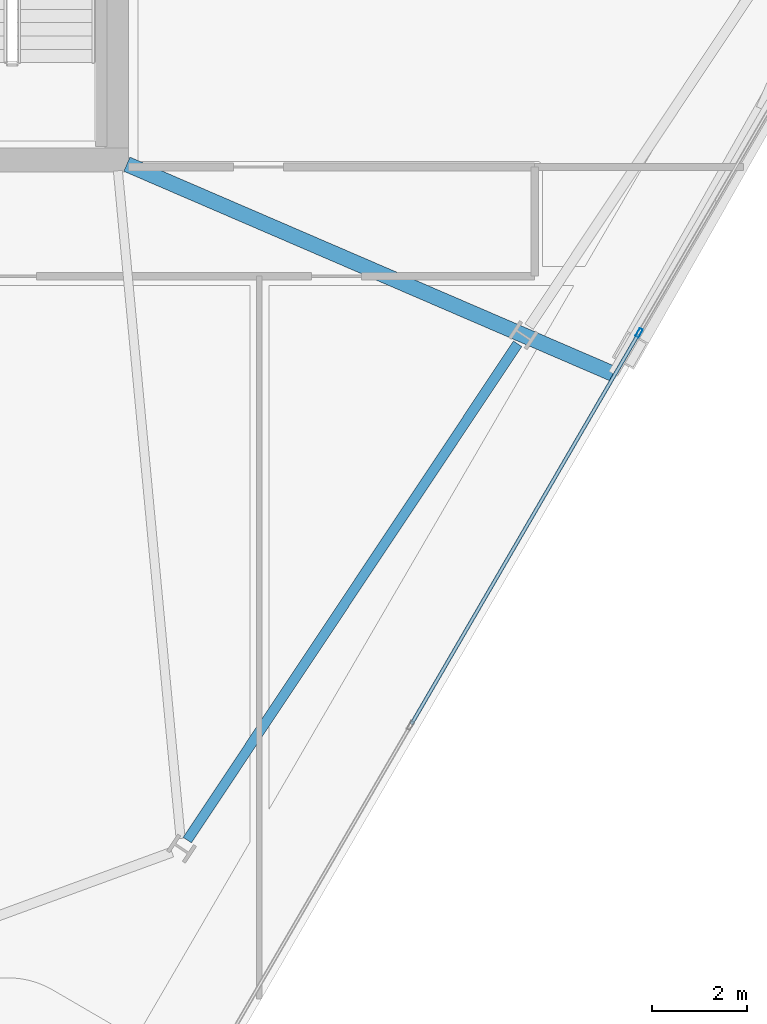
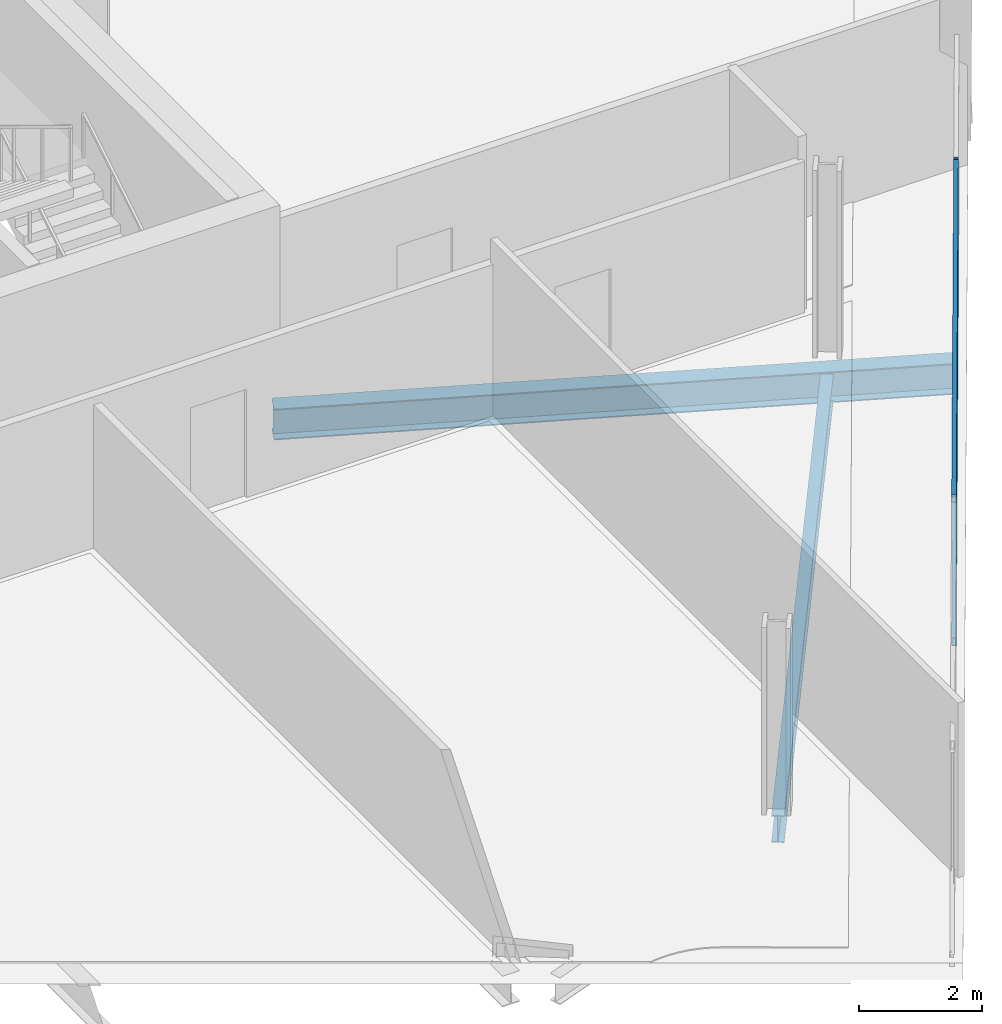
# One storey, part 9 of 29: 3 members, 2 beams, 1 element without a shape of its own.
"""IFC4 building model written with IfcOpenShell, lengths in metres."""

import ifcopenshell
import ifcopenshell.guid

model = None  # the IFC model being written
_history = None  # IfcOwnerHistory: only IFC2X3 demands one
_inside = {}  # id of a spatial element -> (the spatial element, [elements in it])
_under = {}  # id of a project, library or spatial element -> (it, [spatial elements below it])
_declared = {}  # id of a project -> (the project, [libraries it declares])
_typed = {}  # id of a type object -> (the type object, [elements of that type])
_made_of = {}  # id of a material, layer set ... -> (it, [elements and type objects made of it])


def new_model(schema):
    """Start an empty IFC model of exactly this schema.

    Asked for "IFC4X3", IfcOpenShell would pick the latest addendum, in which some entities
    have other attributes; the version numbers below select the first issue.
    IFC2X3 requires an IfcOwnerHistory on every rooted entity: one is made here for all.
    """
    global model, _history
    if schema == "IFC4X3":
        model = ifcopenshell.file(schema_version=(4, 3, 0, 0))
    else:
        model = ifcopenshell.file(schema=schema)
    _inside.clear()
    _under.clear()
    _declared.clear()
    _typed.clear()
    _made_of.clear()
    _history = None
    if model.schema == "IFC2X3":
        org = make("IfcOrganization", Name="unknown")
        user = make(
            "IfcPersonAndOrganization",
            ThePerson=make("IfcPerson", FamilyName="unknown"),
            TheOrganization=org,
        )
        app = make(
            "IfcApplication",
            ApplicationDeveloper=org,
            Version="unknown",
            ApplicationFullName="unknown",
            ApplicationIdentifier="unknown",
        )
        _history = make(
            "IfcOwnerHistory",
            OwningUser=user,
            OwningApplication=app,
            ChangeAction="ADDED",
            CreationDate=0,
        )
    return model


def make(cls, **values):
    """One entity of the class cls with the attributes given. An attribute that is None is left unset."""
    return model.create_entity(
        cls, **{name: value for name, value in values.items() if value is not None}
    )


def rooted(cls, **values):
    """An entity with a GlobalId (a new one), such as an element, a storey or a relation."""
    return make(cls, GlobalId=ifcopenshell.guid.new(), OwnerHistory=_history, **values)


def si_unit(unit_type, name, prefix=None):
    """IfcSIUnit, for example si_unit("LENGTHUNIT", "METRE", prefix="MILLI")."""
    return make("IfcSIUnit", UnitType=unit_type, Prefix=prefix, Name=name)


def assignment(units):
    """IfcUnitAssignment: the units of a project."""
    return None if units is None else make("IfcUnitAssignment", Units=units)


def point(xyz):
    """IfcCartesianPoint."""
    return None if xyz is None else make("IfcCartesianPoint", Coordinates=xyz)


def direction(xyz):
    """IfcDirection."""
    return None if xyz is None else make("IfcDirection", DirectionRatios=xyz)


def frame(location, z_axis=None, x_axis=None):
    """IfcAxis2Placement3D, a coordinate frame: its origin and axes. An axis left out is left unset."""
    return make(
        "IfcAxis2Placement3D",
        Location=point(location),
        Axis=direction(z_axis),
        RefDirection=direction(x_axis),
    )


def frame_2d(location, x_axis=None):
    """IfcAxis2Placement2D, a coordinate frame in the plane: its origin and x axis."""
    return make(
        "IfcAxis2Placement2D", Location=point(location), RefDirection=direction(x_axis)
    )


def origin():
    """The frame at (0, 0, 0) with its axes left unset."""
    return frame((0.0, 0.0, 0.0))


def origin_2d():
    """The frame at (0, 0) in the plane with its x axis left unset."""
    return frame_2d((0.0, 0.0))


def place(relative_to, where):
    """IfcLocalPlacement: puts the frame where relative to a parent placement (None: the world)."""
    return make(
        "IfcLocalPlacement", PlacementRelTo=relative_to, RelativePlacement=where
    )


def context(
    kind, dimensions, precision=None, world=None, true_north=None, identifier=None
):
    """IfcGeometricRepresentationContext, for example the 3D "Model" context."""
    return make(
        "IfcGeometricRepresentationContext",
        ContextIdentifier=identifier,
        ContextType=kind,
        CoordinateSpaceDimension=dimensions,
        Precision=precision,
        WorldCoordinateSystem=world,
        TrueNorth=true_north,
    )


def subcontext(parent, identifier, kind, view, scale=None):
    """IfcGeometricRepresentationSubContext, for example "Body" below "Model"."""
    return make(
        "IfcGeometricRepresentationSubContext",
        ContextIdentifier=identifier,
        ContextType=kind,
        ParentContext=parent,
        TargetScale=scale,
        TargetView=view,
    )


def project(units=None, contexts=None):
    """IfcProject with its units and contexts."""
    return rooted(
        "IfcProject",
        Name="project",
        RepresentationContexts=contexts,
        UnitsInContext=assignment(units),
    )


def spatial(cls, under=None, at=None, **own):
    """A site, building, storey or space (cls), placed at a placement, below another one or the project."""
    s = rooted(cls, ObjectPlacement=at, **own)
    if under is not None:
        _under.setdefault(under.id(), (under, []))[1].append(s)
    return s


def profile(cls, at=None, kind="AREA", **sizes):
    """A parametric profile (cls). Its sizes go by their IFC names, for example OverallWidth=200.0."""
    return make(cls, ProfileType=kind, Position=at, **sizes)


def hollow_rectangle(**sizes):
    """IfcRectangleHollowProfileDef."""
    return profile("IfcRectangleHollowProfileDef", **sizes)


def i_section(**sizes):
    """IfcIShapeProfileDef."""
    return profile("IfcIShapeProfileDef", **sizes)


def extrude(swept, where, along, depth):
    """IfcExtrudedAreaSolid: the profile swept, set in the frame where, extruded along a direction by depth."""
    return make(
        "IfcExtrudedAreaSolid",
        SweptArea=swept,
        Position=where,
        ExtrudedDirection=direction(along),
        Depth=depth,
    )


def shape(context_of_items, identifier, shape_type, items):
    """IfcShapeRepresentation: the items that make up one representation, for example the "Body"."""
    return make(
        "IfcShapeRepresentation",
        ContextOfItems=context_of_items,
        RepresentationIdentifier=identifier,
        RepresentationType=shape_type,
        Items=items,
    )


def material(Name=None, Category=None):
    """IfcMaterial."""
    return make("IfcMaterial", Name=Name, Category=Category)


def material_profile(
    of_material, cross_section, Name=None, Category=None, Priority=None
):
    """IfcMaterialProfile: a cross section and its material."""
    return make(
        "IfcMaterialProfile",
        Name=Name,
        Material=of_material,
        Profile=cross_section,
        Priority=Priority,
        Category=Category,
    )


def profile_set(profiles, Name=None, composite=None):
    """IfcMaterialProfileSet."""
    return make(
        "IfcMaterialProfileSet",
        Name=Name,
        MaterialProfiles=profiles,
        CompositeProfile=composite,
    )


def made_of(thing, what):
    """Note that an element or type object is made of a material, layer set ...; save() writes the relation."""
    if what is not None:
        _made_of.setdefault(what.id(), (what, []))[1].append(thing)
    return thing


def type_object(cls, material=None, **own):
    """A type object (cls), such as IfcWallType, which elements share."""
    return made_of(rooted(cls, **own), material)


def element(
    cls,
    number,
    at=None,
    inside=None,
    cuts=None,
    type_object=None,
    material=None,
    context=None,
    identifier="Body",
    shape_type=None,
    held_by="IfcProductDefinitionShape",
    body=None,
    shapes=None,
    **own,
):
    """One element of the class cls, such as IfcWall. Its Tag is "e" and its number.

    at: its placement. inside: the storey or other place that contains it. cuts: it is an
    opening in that element (IfcRelVoidsElement). A single representation is given by context,
    identifier, shape_type and body (its items); several are given by shapes. held_by: the class
    of the entity that holds the representations. save() writes the other relations.
    """
    e = rooted(cls, Tag="e%d" % number, ObjectPlacement=at, **own)
    if body is not None:
        shapes = [shape(context, identifier, shape_type, body)]
    if shapes is not None:
        e.Representation = make(held_by, Representations=shapes)
    if inside is not None:
        _inside.setdefault(inside.id(), (inside, []))[1].append(e)
    if cuts is not None:
        rooted(
            "IfcRelVoidsElement", RelatingBuildingElement=cuts, RelatedOpeningElement=e
        )
    if type_object is not None:
        _typed.setdefault(type_object.id(), (type_object, []))[1].append(e)
    return made_of(e, material)


def aggregate(whole, parts):
    """IfcRelAggregates: a whole, such as a stair, and the parts it consists of."""
    return rooted("IfcRelAggregates", RelatingObject=whole, RelatedObjects=parts)


def save(model, path):
    """Write the relations noted so far, then the file.

    IfcRelAggregates (storeys below a building ...), IfcRelContainedInSpatialStructure (elements
    in a storey), IfcRelDefinesByType, IfcRelAssociatesMaterial and IfcRelDeclares: one each for
    every whole, place, type object, material and project.
    """
    for whole, parts in _under.values():
        aggregate(whole, parts)
    for where, things in _inside.values():
        rooted(
            "IfcRelContainedInSpatialStructure",
            RelatedElements=things,
            RelatingStructure=where,
        )
    for kind, things in _typed.values():
        rooted("IfcRelDefinesByType", RelatedObjects=things, RelatingType=kind)
    for what, things in _made_of.values():
        rooted("IfcRelAssociatesMaterial", RelatedObjects=things, RelatingMaterial=what)
    for by, libraries in _declared.values():
        rooted("IfcRelDeclares", RelatingContext=by, RelatedDefinitions=libraries)
    model.write(path)


model = new_model("IFC4")

# Units and contexts
model_context = context("Model", 3, precision=1e-05, world=origin(), true_north=direction((0.0, 1.0)))
body_context = subcontext(model_context, "Body", "Model", "MODEL_VIEW")
ifc_project = project(units=[si_unit("LENGTHUNIT", "METRE"), si_unit("AREAUNIT", "SQUARE_METRE"), si_unit("VOLUMEUNIT", "CUBIC_METRE"), si_unit("PLANEANGLEUNIT", "RADIAN"), si_unit("MASSUNIT", "GRAM", prefix="KILO")], contexts=[model_context])

# Site, building, storey
site_placement = place(None, origin())
site = spatial("IfcSite", under=ifc_project, at=site_placement, CompositionType="ELEMENT")
building_placement = place(site_placement, origin())
building = spatial("IfcBuilding", under=site, at=building_placement, Name="Haldenkirk Collegiate Tower", CompositionType="ELEMENT")
storey_placement = place(building_placement, frame((0.0, 0.0, 228.449951171875)))
storey = spatial("IfcBuildingStorey", under=building, at=storey_placement, Name="L57", CompositionType="ELEMENT", Elevation=228.449951171875)

# Beams
ifc_material_1 = material(Name="Steel ASTM A992 Grade 50", Category="steel")
ifc_material_profile_1 = material_profile(ifc_material_1, i_section(OverallWidth=0.324951171875, OverallDepth=0.615966796875, WebThickness=0.013916015625, FlangeThickness=0.021484375, at=origin_2d()), Name="W24X117")
ifc_profile_set_1 = profile_set([ifc_material_profile_1], Name="Steel ASTM A992 Grade 50")
beam_type_1 = type_object("IfcBeamType", Name="BM-GIRDER-W24X117", PredefinedType="BEAM", material=ifc_profile_set_1)
beam_1_placement = place(storey_placement, frame((55.454345703125, 13.493408203125, -0.587890625), z_axis=(-0.918312014618, 0.395857352855, 0.0), x_axis=(-0.395857352855, -0.918312014618, 0.0)))
element("IfcBeam", 1, at=beam_1_placement, inside=storey, type_object=beam_type_1, Name="L57 primary floor girder 06", PredefinedType="BEAM", context=body_context, shape_type="SweptSolid", body=[
    extrude(i_section(OverallWidth=0.324951171875, OverallDepth=0.615966796875, WebThickness=0.013916015625, FlangeThickness=0.021484375, at=origin_2d()), origin(), (0.0, 0.0, 1.0), 11.154296875),
])
ifc_material_profile_2 = material_profile(ifc_material_1, i_section(OverallWidth=0.2099609375, OverallDepth=0.537109375, WebThickness=0.010986328125, FlangeThickness=0.017333984375, at=origin_2d()), Name="W21X68")
ifc_profile_set_2 = profile_set([ifc_material_profile_2], Name="Steel ASTM A992 Grade 50")
beam_type_2 = type_object("IfcBeamType", Name="BM-SPANDREL-W21X68", PredefinedType="SPANDREL", material=ifc_profile_set_2)
beam_2_placement = place(storey_placement, frame((46.4833984375, 3.67041015625, -0.54833984375), z_axis=(0.554112521622, 0.832441777773, 0.0), x_axis=(-0.832441777773, 0.554112521622, 0.0)))
element("IfcBeam", 2, at=beam_2_placement, inside=storey, type_object=beam_type_2, Name="L57 perimeter spandrel beam 02", PredefinedType="SPANDREL", context=body_context, shape_type="SweptSolid", body=[
    extrude(i_section(OverallWidth=0.2099609375, OverallDepth=0.537109375, WebThickness=0.010986328125, FlangeThickness=0.017333984375, at=origin_2d()), origin(), (0.0, 0.0, 1.0), 12.561767578125),
])

# Curtain wall, members
ifc_material_2 = material(Name="Anodised architectural bronze aluminium", Category="aluminium")
curtain_wall_type = type_object("IfcCurtainWallType", Name="CW-SYS2-CONCAVE", PredefinedType="USERDEFINED", material=ifc_material_2)
curtain_wall_placement = place(storey_placement, origin())
curtain_wall = element("IfcCurtainWall", 3, at=curtain_wall_placement, inside=storey, type_object=curtain_wall_type, Name="L57 South concave recessed bronze-anodised curtain wall", ObjectType="UNITISED CURTAIN WALL", PredefinedType="USERDEFINED")
ifc_material_profile_3 = material_profile(ifc_material_2, hollow_rectangle(XDim=0.074951171875, YDim=0.18994140625, WallThickness=0.0048828125, at=origin_2d()), Name="CW-MUL-02")
ifc_profile_set_3 = profile_set([ifc_material_profile_3], Name="Anodised architectural bronze aluminium")
member_type_1 = type_object("IfcMemberType", Name="CW-MUL-02", PredefinedType="MULLION", material=ifc_profile_set_3)
member_1_placement = place(storey_placement, frame((56.003662109375, 14.357666015625, 0.0), z_axis=(0.0, 0.0, 1.0), x_axis=(0.864275549506, -0.503018662205, 0.0)))
member_1 = element("IfcMember", 4, at=member_1_placement, type_object=member_type_1, Name="CW-02 mullion 3", PredefinedType="MULLION", context=body_context, shape_type="SweptSolid", body=[
    extrude(hollow_rectangle(XDim=0.074951171875, YDim=0.18994140625, WallThickness=0.0048828125, at=origin_2d()), origin(), (0.0, 0.0, 1.0), 2.927978515625),
])
ifc_material_profile_4 = material_profile(ifc_material_2, hollow_rectangle(XDim=0.074951171875, YDim=0.159912109375, WallThickness=0.0048828125, at=origin_2d()), Name="CW-TRN-02")
ifc_profile_set_4 = profile_set([ifc_material_profile_4], Name="Anodised architectural bronze aluminium")
member_type_2 = type_object("IfcMemberType", Name="CW-TRN-02", PredefinedType="USERDEFINED", material=ifc_profile_set_4)
member_2_placement = place(storey_placement, frame((55.98486328125, 14.3251953125, 0.03759765625), z_axis=(-0.5030255248, -0.864271555357, 0.0), x_axis=(0.864271555357, -0.5030255248, 0.0)))
member_2 = element("IfcMember", 5, at=member_2_placement, type_object=member_type_2, Name="CW-02 transom 3.1", ObjectType="TRANSOM", PredefinedType="USERDEFINED", context=body_context, shape_type="SweptSolid", body=[
    extrude(hollow_rectangle(XDim=0.074951171875, YDim=0.159912109375, WallThickness=0.0048828125, at=origin_2d()), origin(), (0.0, 0.0, 1.0), 9.500244140625),
])
member_3_placement = place(storey_placement, frame((55.98486328125, 14.3251953125, 2.890625), z_axis=(-0.5030255248, -0.864271555357, 0.0), x_axis=(0.864271555357, -0.5030255248, 0.0)))
member_3 = element("IfcMember", 6, at=member_3_placement, type_object=member_type_2, Name="CW-02 transom 3.2", ObjectType="TRANSOM", PredefinedType="USERDEFINED", context=body_context, shape_type="SweptSolid", body=[
    extrude(hollow_rectangle(XDim=0.074951171875, YDim=0.159912109375, WallThickness=0.0048828125, at=origin_2d()), origin(), (0.0, 0.0, 1.0), 9.500244140625),
])
aggregate(curtain_wall, [member_1, member_2, member_3])

save(model, "model.ifc")
